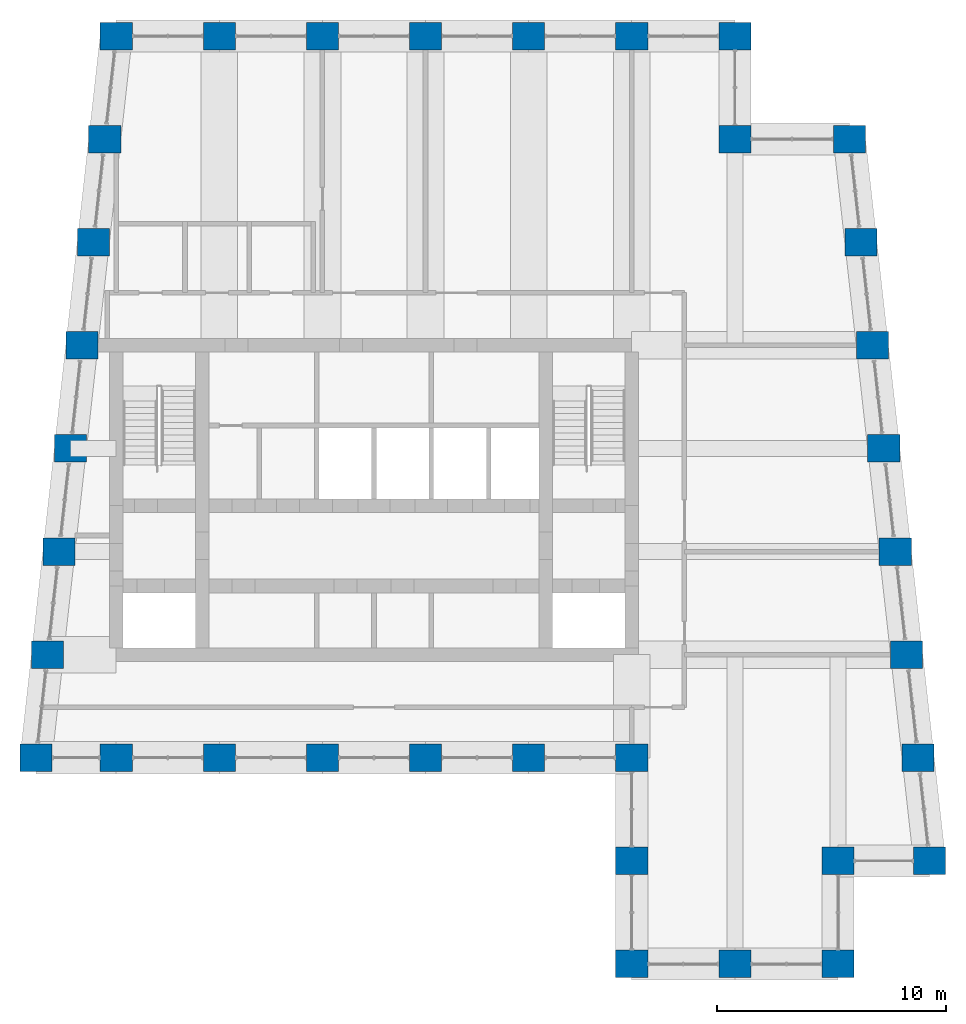
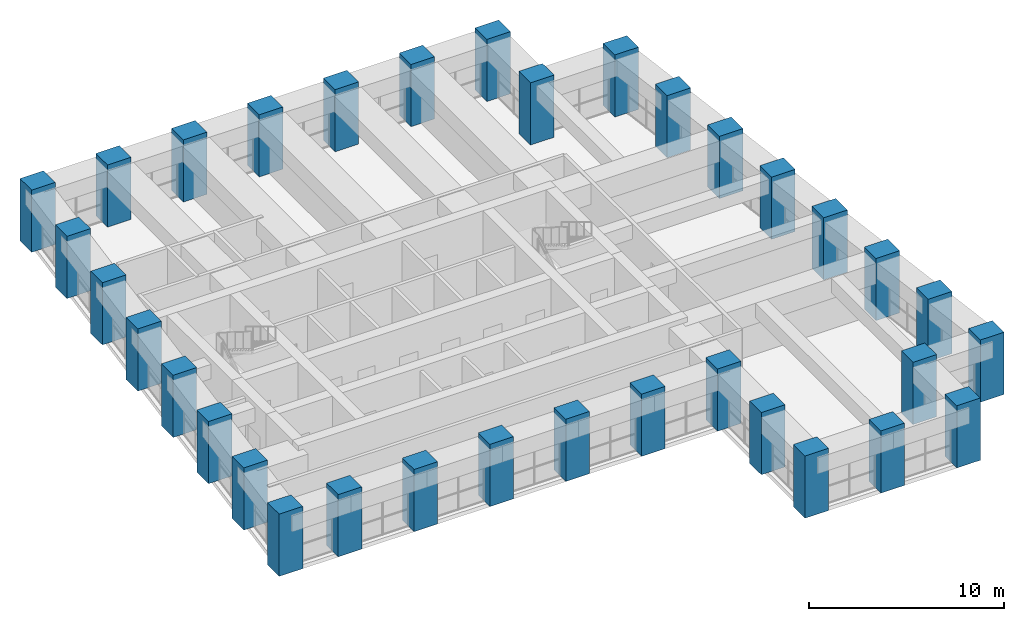
# One storey, part 1 of 15: 34 columns.
"""IFC4 building model written with IfcOpenShell, lengths in metres."""

from ifc_helpers import new_model, si_unit, direction, frame, origin, origin_2d, place, context, subcontext, project, spatial, rectangle, extrude, material, material_profile, profile_set, type_object, element, save


model = new_model("IFC4")

# Units and contexts
model_context = context("Model", 3, precision=1e-05, world=origin(), true_north=direction((0.0, 1.0)))
body_context = subcontext(model_context, "Body", "Model", "MODEL_VIEW")
ifc_project = project(units=[si_unit("LENGTHUNIT", "METRE"), si_unit("AREAUNIT", "SQUARE_METRE"), si_unit("VOLUMEUNIT", "CUBIC_METRE"), si_unit("PLANEANGLEUNIT", "RADIAN"), si_unit("MASSUNIT", "GRAM", prefix="KILO")], contexts=[model_context])

# Site, building, storey
site_placement = place(None, origin())
site = spatial("IfcSite", under=ifc_project, at=site_placement, CompositionType="ELEMENT")
building_placement = place(site_placement, origin())
building = spatial("IfcBuilding", under=site, at=building_placement, Name="Kilele Tower Hotel", CompositionType="ELEMENT")
storey_placement = place(building_placement, frame((0.0, 0.0, 285.800048828125)))
storey = spatial("IfcBuildingStorey", under=building, at=storey_placement, Name="L73", CompositionType="ELEMENT", Elevation=285.800048828125)

# Columns
ifc_material = material(Name="Concrete C60/75", Category="concrete")
ifc_material_profile = material_profile(ifc_material, rectangle(XDim=1.39990234375, YDim=1.199951171875, at=origin_2d()))
ifc_profile_set = profile_set([ifc_material_profile], Name="Concrete C60/75")
column_type = type_object("IfcColumnType", Name="Tube column RC 1400x1200 C60/75", PredefinedType="COLUMN", material=ifc_profile_set)
for number, where, z_axis, x_axis, name in (
    (1, (10.0, 9.0, 0.0), (0.0, 0.0, 1.0), (1.0, 0.0, 0.0), "Column TC5 L73"),
    (2, (13.5, 9.0, 0.0), (0.0, 0.0, 1.0), (1.0, 0.0, 0.0), "Column TC5 L73"),
    (3, (18.0, 9.0, 0.0), (0.0, 0.0, 1.0), (1.0, 0.0, 0.0), "Column TC5 L73"),
    (4, (22.5, 9.0, 0.0), (0.0, 0.0, 1.0), (1.0, 0.0, 0.0), "Column TC5 L73"),
    (5, (27.0, 9.0, 0.0), (0.0, 0.0, 1.0), (1.0, 0.0, 0.0), "Column TC5 L73"),
    (6, (31.5, 9.0, 0.0), (0.0, 0.0, 1.0), (1.0, 0.0, 0.0), "Column TC5 L73"),
    (7, (36.0, 9.0, 0.0), (0.0, 0.0, 1.0), (1.0, 0.0, 0.0), "Column TC5 L73"),
    (8, (36.0, 4.5, 0.0), (0.0, 0.0, 1.0), (1.0, 0.0, 0.0), "Column TC5 L73"),
    (9, (36.0, 0.0, 0.0), (0.0, 0.0, 1.0), (1.0, 0.0, 0.0), "Column TC5 L73"),
    (10, (40.5, 0.0, 0.0), (0.0, 0.0, 1.0), (1.0, 0.0, 0.0), "Column TC5 L73"),
    (11, (45.0, 0.0, 0.0), (0.0, 0.0, 1.0), (1.0, 0.0, 0.0), "Column TC5 L73"),
    (12, (45.0, 4.5, 0.0), (0.0, 0.0, 1.0), (1.0, 0.0, 0.0), "Column TC5 L73"),
    (13, (49.0, 4.5, 0.0), (0.0, 0.0, 1.0), (1.0, 0.0, 0.0), "Column TC5 L73"),
    (14, (48.5, 9.0, 0.0), (0.0, 0.0, 1.0), (1.0, 0.0, 0.0), "Column TC5 L73"),
    (15, (48.0, 13.5, 0.0), (0.0, 0.0, 1.0), (1.0, 0.0, 0.0), "Column TC5 L73"),
    (16, (47.5, 18.0, 0.0), (0.0, 0.0, 1.0), (1.0, 0.0, 0.0), "Column TC5 L73"),
    (17, (47.0, 22.5, 0.0), (0.0, 0.0, 1.0), (1.0, 0.0, 0.0), "Column TC5 L73"),
    (18, (46.5, 27.0, 0.0), (0.0, 0.0, 1.0), (1.0, 0.0, 0.0), "Column TC5 L73"),
    (19, (46.0, 31.5, 0.0), (0.0, 0.0, 1.0), (1.0, 0.0, 0.0), "Column TC5 L73"),
    (20, (45.5, 36.0, 0.0), (0.0, 0.0, 1.0), (1.0, 0.0, 0.0), "Column TC5 L73"),
    (21, (40.5, 36.0, 0.0), (0.0, 0.0, 1.0), (1.0, 0.0, 0.0), "Column TC5 L73"),
    (22, (40.5, 40.5, 0.0), (0.0, 0.0, 1.0), (1.0, 0.0, 0.0), "Column TC5 L73"),
    (23, (36.0, 40.5, 0.0), (0.0, 0.0, 1.0), (1.0, 0.0, 0.0), "Column TC5 L73"),
    (24, (31.5, 40.5, 0.0), (0.0, 0.0, 1.0), (1.0, 0.0, 0.0), "Column TC5 L73"),
    (25, (27.0, 40.5, 0.0), (0.0, 0.0, 1.0), (1.0, 0.0, 0.0), "Column TC5 L73"),
    (26, (22.5, 40.5, 0.0), (0.0, 0.0, 1.0), (1.0, 0.0, 0.0), "Column TC5 L73"),
    (27, (18.0, 40.5, 0.0), (0.0, 0.0, 1.0), (1.0, 0.0, 0.0), "Column TC5 L73"),
    (28, (13.5, 40.5, 0.0), (0.0, 0.0, 1.0), (1.0, 0.0, 0.0), "Column TC5 L73"),
    (29, (13.0, 36.0, 0.0), (0.0, 0.0, 1.0), (1.0, 0.0, 0.0), "Column TC5 L73"),
    (30, (12.5, 31.5, 0.0), (0.0, 0.0, 1.0), (1.0, 0.0, 0.0), "Column TC5 L73"),
    (31, (12.0, 27.0, 0.0), (0.0, 0.0, 1.0), (1.0, 0.0, 0.0), "Column TC5 L73"),
    (32, (11.5, 22.5, 0.0), (0.0, 0.0, 1.0), (1.0, 0.0, 0.0), "Column TC5 L73"),
    (33, (11.0, 18.0, 0.0), (0.0, 0.0, 1.0), (1.0, 0.0, 0.0), "Column TC5 L73"),
    (34, (10.5, 13.5, 0.0), (0.0, 0.0, 1.0), (1.0, 0.0, 0.0), "Column TC5 L73"),
):
    element("IfcColumn", number, at=place(storey_placement, frame(where, z_axis=z_axis, x_axis=x_axis)), inside=storey, type_object=column_type, Name=name, PredefinedType="COLUMN", context=body_context, shape_type="SweptSolid", body=[
        extrude(rectangle(XDim=1.39990234375, YDim=1.199951171875, at=origin_2d()), origin(), (0.0, 0.0, 1.0), 3.89990234375),
    ])

save(model, "model.ifc")
